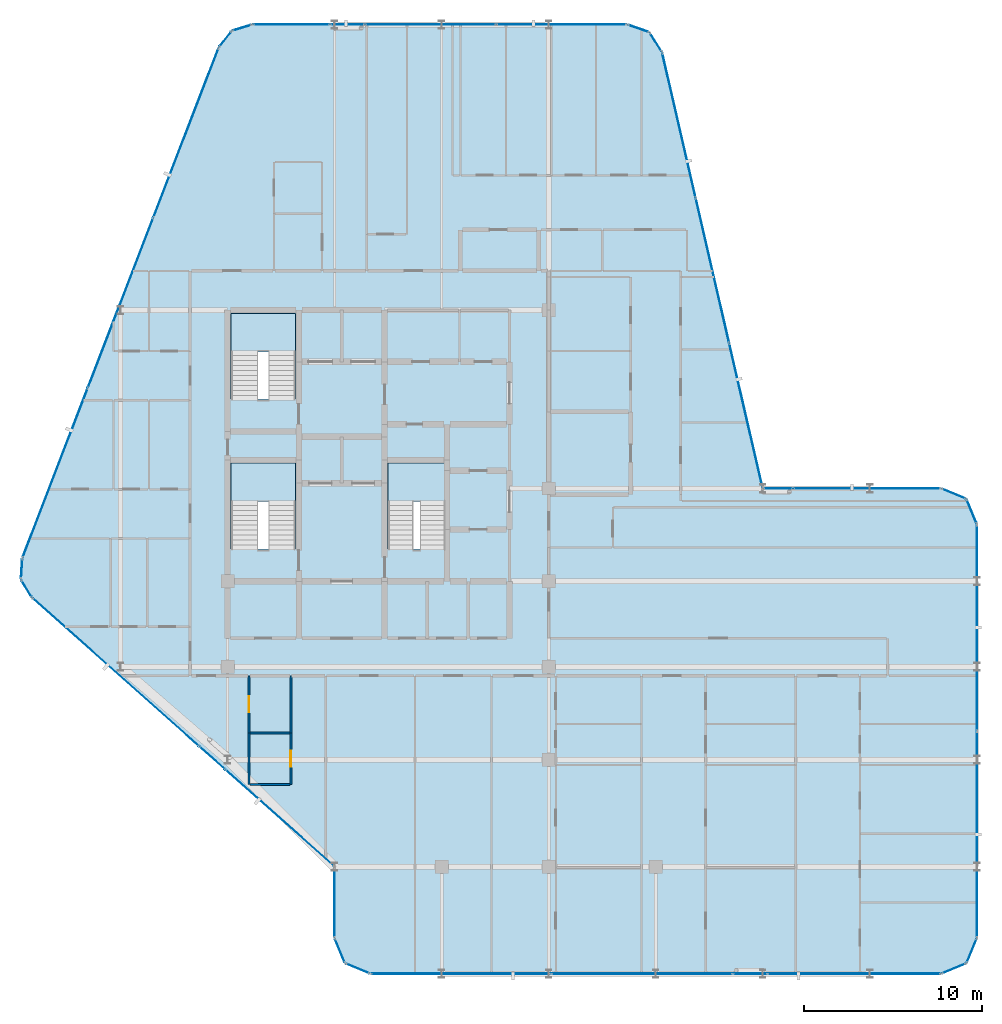
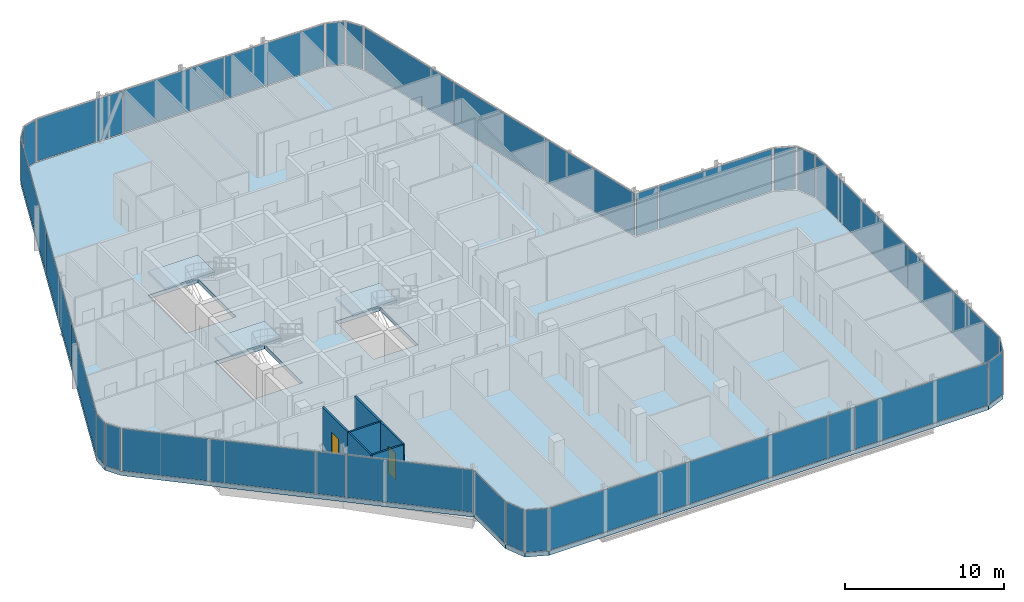
# One storey, part 22 of 29: 34 plates, 6 walls, 4 slabs, 2 doors, 2 openings, 30 elements without a shape of their own.
"""IFC4 building model written with IfcOpenShell, lengths in metres."""

from ifc_helpers import new_model, si_unit, direction, frame, frame_2d, origin, origin_2d, place, context, subcontext, project, spatial, polyline, rectangle, outline, extrude, material, layer, layer_set, type_object, element, fill, aggregate, save


model = new_model("IFC4")

# Units and contexts
model_context = context("Model", 3, precision=1e-05, world=origin(), true_north=direction((0.0, 1.0)))
body_context = subcontext(model_context, "Body", "Model", "MODEL_VIEW")
ifc_project = project(units=[si_unit("LENGTHUNIT", "METRE"), si_unit("AREAUNIT", "SQUARE_METRE"), si_unit("VOLUMEUNIT", "CUBIC_METRE"), si_unit("PLANEANGLEUNIT", "RADIAN"), si_unit("MASSUNIT", "GRAM", prefix="KILO")], contexts=[model_context])

# Site, building, storey
site_placement = place(None, origin())
site = spatial("IfcSite", under=ifc_project, at=site_placement, CompositionType="ELEMENT")
building_placement = place(site_placement, origin())
building = spatial("IfcBuilding", under=site, at=building_placement, Name="Keshet Zoharim Tower", CompositionType="ELEMENT")
storey_placement = place(building_placement, frame((0.0, 0.0, 226.5)))
storey = spatial("IfcBuildingStorey", under=building, at=storey_placement, Name="L56", CompositionType="ELEMENT", Elevation=226.5)

# Curtain wall, plate
ifc_material_1 = material(Name="Aluminium 6063-T6", Category="aluminium")
ifc_layer_1 = layer(ifc_material_1, 0.139892578125)
ifc_layer_set_1 = layer_set([ifc_layer_1], Name="Aluminium 6063-T6")
curtain_wall_type = type_object("IfcCurtainWallType", Name="CW-SYS-05", PredefinedType="NOTDEFINED", material=ifc_layer_set_1)
curtain_wall_1_placement = place(storey_placement, origin())
curtain_wall_1 = element("IfcCurtainWall", 1, at=curtain_wall_1_placement, inside=storey, type_object=curtain_wall_type, Name="L56 Unitised Curtain Wall 01", PredefinedType="NOTDEFINED")
ifc_material_2 = material(Name="Insulated Low-E Clear Glass", Category="glass")
ifc_layer_2 = layer(ifc_material_2, 0.031982421875)
ifc_layer_set_2 = layer_set([ifc_layer_2], Name="Insulated Low-E Clear Glass")
plate_type_1 = type_object("IfcPlateType", Name="CWP-02", PredefinedType="CURTAIN_PANEL", material=ifc_layer_set_2)
plate_1_placement = place(storey_placement, frame((55.70703125, 27.60693359375, 0.070068359375), z_axis=(0.0, 0.0, 1.0), x_axis=(0.92380975372, -0.382851849847, 0.0)))
plate_1 = element("IfcPlate", 2, at=plate_1_placement, type_object=plate_type_1, Name="CW-05 panel 1.1", PredefinedType="CURTAIN_PANEL", context=body_context, shape_type="SweptSolid", body=[
    extrude(rectangle(XDim=1.390625, YDim=0.031982421875, at=origin_2d()), origin(), (0.0, 0.0, 1.0), 3.25),
])
aggregate(curtain_wall_1, [plate_1])

curtain_wall_2_placement = place(storey_placement, origin())
curtain_wall_2 = element("IfcCurtainWall", 3, at=curtain_wall_2_placement, inside=storey, type_object=curtain_wall_type, Name="L56 Unitised Curtain Wall 02", PredefinedType="NOTDEFINED")
plate_2_placement = place(storey_placement, frame((56.70703125, 26.60693359375, 0.070068359375), z_axis=(0.0, 0.0, 1.0), x_axis=(0.382851849847, -0.92380975372, 0.0)))
plate_2 = element("IfcPlate", 4, at=plate_2_placement, type_object=plate_type_1, Name="CW-05 panel 1.1", PredefinedType="CURTAIN_PANEL", context=body_context, shape_type="SweptSolid", body=[
    extrude(rectangle(XDim=1.390625, YDim=0.031982421875, at=origin_2d()), origin(), (0.0, 0.0, 1.0), 3.25),
])
aggregate(curtain_wall_2, [plate_2])

# Curtain wall, plates
curtain_wall_3_placement = place(storey_placement, origin())
curtain_wall_3 = element("IfcCurtainWall", 5, at=curtain_wall_3_placement, inside=storey, type_object=curtain_wall_type, Name="L56 Unitised Curtain Wall 03", PredefinedType="NOTDEFINED")
plate_3_placement = place(storey_placement, frame((57.0, 20.08251953125, 0.070068359375), z_axis=(0.0, 0.0, 1.0), x_axis=(0.0, -1.0, 0.0)))
plate_3 = element("IfcPlate", 6, at=plate_3_placement, type_object=plate_type_1, Name="CW-05 panel 1.1", PredefinedType="CURTAIN_PANEL", context=body_context, shape_type="SweptSolid", body=[
    extrude(rectangle(XDim=11.4951171875, YDim=0.031982421875, at=origin_2d()), origin(), (0.0, 0.0, 1.0), 3.25),
])
plate_4_placement = place(storey_placement, frame((57.0, 8.517578125, 0.070068359375), z_axis=(0.0, 0.0, 1.0), x_axis=(0.0, -1.0, 0.0)))
plate_4 = element("IfcPlate", 7, at=plate_4_placement, type_object=plate_type_1, Name="CW-05 panel 2.1", PredefinedType="CURTAIN_PANEL", context=body_context, shape_type="SweptSolid", body=[
    extrude(rectangle(XDim=11.4951171875, YDim=0.031982421875, at=origin_2d()), origin(), (0.0, 0.0, 1.0), 3.25),
])
aggregate(curtain_wall_3, [plate_3, plate_4])

# Curtain wall, plate
curtain_wall_4_placement = place(storey_placement, origin())
curtain_wall_4 = element("IfcCurtainWall", 8, at=curtain_wall_4_placement, inside=storey, type_object=curtain_wall_type, Name="L56 Unitised Curtain Wall 04", PredefinedType="NOTDEFINED")
plate_5_placement = place(storey_placement, frame((56.70703125, 1.992919921875, 0.070068359375), z_axis=(0.0, 0.0, 1.0), x_axis=(-0.382851849847, -0.92380975372, 0.0)))
plate_5 = element("IfcPlate", 9, at=plate_5_placement, type_object=plate_type_1, Name="CW-05 panel 1.1", PredefinedType="CURTAIN_PANEL", context=body_context, shape_type="SweptSolid", body=[
    extrude(rectangle(XDim=1.390625, YDim=0.031982421875, at=origin_2d()), origin(), (0.0, 0.0, 1.0), 3.25),
])
aggregate(curtain_wall_4, [plate_5])

curtain_wall_5_placement = place(storey_placement, origin())
curtain_wall_5 = element("IfcCurtainWall", 10, at=curtain_wall_5_placement, inside=storey, type_object=curtain_wall_type, Name="L56 Unitised Curtain Wall 05", PredefinedType="NOTDEFINED")
plate_6_placement = place(storey_placement, frame((55.70703125, 0.992919921875, 0.070068359375), z_axis=(0.0, 0.0, 1.0), x_axis=(-0.92380975372, -0.382851849847, 0.0)))
plate_6 = element("IfcPlate", 11, at=plate_6_placement, type_object=plate_type_1, Name="CW-05 panel 1.1", PredefinedType="CURTAIN_PANEL", context=body_context, shape_type="SweptSolid", body=[
    extrude(rectangle(XDim=1.390625, YDim=0.031982421875, at=origin_2d()), origin(), (0.0, 0.0, 1.0), 3.25),
])
aggregate(curtain_wall_5, [plate_6])

curtain_wall_6_placement = place(storey_placement, origin())
curtain_wall_6 = element("IfcCurtainWall", 12, at=curtain_wall_6_placement, inside=storey, type_object=curtain_wall_type, Name="L56 Unitised Curtain Wall 06", PredefinedType="NOTDEFINED")
plate_7_placement = place(storey_placement, frame((50.1123046875, 0.699951171875, 0.070068359375), z_axis=(0.0, 0.0, 1.0), x_axis=(-1.0, 0.0, 0.0)))
plate_7 = element("IfcPlate", 13, at=plate_7_placement, type_object=plate_type_1, Name="CW-05 panel 1.1", PredefinedType="CURTAIN_PANEL", context=body_context, shape_type="SweptSolid", body=[
    extrude(rectangle(XDim=9.63525390625, YDim=0.031982421875, at=origin_2d()), origin(), (0.0, 0.0, 1.0), 3.25),
])
aggregate(curtain_wall_6, [plate_7])

# Curtain wall, plates
curtain_wall_7_placement = place(storey_placement, origin())
curtain_wall_7 = element("IfcCurtainWall", 14, at=curtain_wall_7_placement, inside=storey, type_object=curtain_wall_type, Name="L56 Unitised Curtain Wall 06 Part 3", PredefinedType="NOTDEFINED")
plate_8_placement = place(storey_placement, frame((38.223876953125, 0.699951171875, 0.070068359375), z_axis=(0.0, 0.0, 1.0), x_axis=(-1.0, 0.0, 0.0)))
plate_8 = element("IfcPlate", 15, at=plate_8_placement, type_object=plate_type_1, Name="CW-05 panel 1.1", PredefinedType="CURTAIN_PANEL", context=body_context, shape_type="SweptSolid", body=[
    extrude(rectangle(XDim=10.1025390625, YDim=0.031982421875, at=origin_2d()), origin(), (0.0, 0.0, 1.0), 3.25),
])
plate_9_placement = place(storey_placement, frame((28.086181640625, 0.699951171875, 0.070068359375), z_axis=(0.0, 0.0, 1.0), x_axis=(-1.0, 0.0, 0.0)))
plate_9 = element("IfcPlate", 16, at=plate_9_placement, type_object=plate_type_1, Name="CW-05 panel 2.1", PredefinedType="CURTAIN_PANEL", context=body_context, shape_type="SweptSolid", body=[
    extrude(rectangle(XDim=10.03271484375, YDim=0.031982421875, at=origin_2d()), origin(), (0.0, 0.0, 1.0), 3.25),
])
aggregate(curtain_wall_7, [plate_8, plate_9])

# Curtain wall, plate
curtain_wall_8_placement = place(storey_placement, origin())
curtain_wall_8 = element("IfcCurtainWall", 17, at=curtain_wall_8_placement, inside=storey, type_object=curtain_wall_type, Name="L56 Unitised Curtain Wall 07", PredefinedType="NOTDEFINED")
plate_10_placement = place(storey_placement, frame((22.29296875, 0.992919921875, 0.070068359375), z_axis=(0.0, 0.0, 1.0), x_axis=(-0.92380975372, 0.382851849847, 0.0)))
plate_10 = element("IfcPlate", 18, at=plate_10_placement, type_object=plate_type_1, Name="CW-05 panel 1.1", PredefinedType="CURTAIN_PANEL", context=body_context, shape_type="SweptSolid", body=[
    extrude(rectangle(XDim=1.390625, YDim=0.031982421875, at=origin_2d()), origin(), (0.0, 0.0, 1.0), 3.25),
])
aggregate(curtain_wall_8, [plate_10])

curtain_wall_9_placement = place(storey_placement, origin())
curtain_wall_9 = element("IfcCurtainWall", 19, at=curtain_wall_9_placement, inside=storey, type_object=curtain_wall_type, Name="L56 Unitised Curtain Wall 08", PredefinedType="NOTDEFINED")
plate_11_placement = place(storey_placement, frame((21.29296875, 1.992919921875, 0.070068359375), z_axis=(0.0, 0.0, 1.0), x_axis=(-0.382851849847, 0.92380975372, 0.0)))
plate_11 = element("IfcPlate", 20, at=plate_11_placement, type_object=plate_type_1, Name="CW-05 panel 1.1", PredefinedType="CURTAIN_PANEL", context=body_context, shape_type="SweptSolid", body=[
    extrude(rectangle(XDim=1.390625, YDim=0.031982421875, at=origin_2d()), origin(), (0.0, 0.0, 1.0), 3.25),
])
aggregate(curtain_wall_9, [plate_11])

curtain_wall_10_placement = place(storey_placement, origin())
curtain_wall_10 = element("IfcCurtainWall", 21, at=curtain_wall_10_placement, inside=storey, type_object=curtain_wall_type, Name="L56 Unitised Curtain Wall 09", PredefinedType="NOTDEFINED")
plate_12_placement = place(storey_placement, frame((21.0, 4.699951171875, 0.070068359375), z_axis=(0.0, 0.0, 1.0), x_axis=(0.0, 1.0, 0.0)))
plate_12 = element("IfcPlate", 22, at=plate_12_placement, type_object=plate_type_1, Name="CW-05 panel 1.1", PredefinedType="CURTAIN_PANEL", context=body_context, shape_type="SweptSolid", body=[
    extrude(rectangle(XDim=3.860107421875, YDim=0.031982421875, at=origin_2d()), origin(), (0.0, 0.0, 1.0), 3.25),
])
aggregate(curtain_wall_10, [plate_12])

curtain_wall_11_placement = place(storey_placement, origin())
curtain_wall_11 = element("IfcCurtainWall", 23, at=curtain_wall_11_placement, inside=storey, type_object=curtain_wall_type, Name="L56 Unitised Curtain Wall 10", PredefinedType="NOTDEFINED")
plate_13_placement = place(storey_placement, frame((17.91845703125, 9.439208984375, 0.070068359375), z_axis=(0.0, 0.0, 1.0), x_axis=(-0.747409987764, 0.664363086114, 0.0)))
plate_13 = element("IfcPlate", 24, at=plate_13_placement, type_object=plate_type_1, Name="CW-05 panel 1.1", PredefinedType="CURTAIN_PANEL", context=body_context, shape_type="SweptSolid", body=[
    extrude(rectangle(XDim=8.10595703125, YDim=0.031982421875, at=origin_2d()), origin(), (0.0, 0.0, 1.0), 3.25),
])
aggregate(curtain_wall_11, [plate_13])

curtain_wall_12_placement = place(storey_placement, origin())
curtain_wall_12 = element("IfcCurtainWall", 25, at=curtain_wall_12_placement, inside=storey, type_object=curtain_wall_type, Name="L56 Unitised Curtain Wall 10 Part 3", PredefinedType="NOTDEFINED")
plate_14_placement = place(storey_placement, frame((8.7333984375, 17.603515625, 0.070068359375), z_axis=(0.0, 0.0, 1.0), x_axis=(-0.747409318679, 0.664363838836, 0.0)))
plate_14 = element("IfcPlate", 26, at=plate_14_placement, type_object=plate_type_1, Name="CW-05 panel 1.1", PredefinedType="CURTAIN_PANEL", context=body_context, shape_type="SweptSolid", body=[
    extrude(rectangle(XDim=12.432861328125, YDim=0.031982421875, at=origin_2d()), origin(), (0.0, 0.0, 1.0), 3.25),
])
aggregate(curtain_wall_12, [plate_14])

curtain_wall_13_placement = place(storey_placement, origin())
curtain_wall_13 = element("IfcCurtainWall", 27, at=curtain_wall_13_placement, inside=storey, type_object=curtain_wall_type, Name="L56 Unitised Curtain Wall 11", PredefinedType="NOTDEFINED")
plate_15_placement = place(storey_placement, frame((3.7275390625, 22.291015625, 0.070068359375), z_axis=(0.0, 0.0, 1.0), x_axis=(-0.515604947933, 0.856826433805, 0.0)))
plate_15 = element("IfcPlate", 28, at=plate_15_placement, type_object=plate_type_1, Name="CW-05 panel 1.1", PredefinedType="CURTAIN_PANEL", context=body_context, shape_type="SweptSolid", body=[
    extrude(rectangle(XDim=1.052734375, YDim=0.031982421875, at=origin_2d()), origin(), (0.0, 0.0, 1.0), 3.25),
])
aggregate(curtain_wall_13, [plate_15])

curtain_wall_14_placement = place(storey_placement, origin())
curtain_wall_14 = element("IfcCurtainWall", 29, at=curtain_wall_14_placement, inside=storey, type_object=curtain_wall_type, Name="L56 Unitised Curtain Wall 12", PredefinedType="NOTDEFINED")
plate_16_placement = place(storey_placement, frame((3.45849609375, 23.3974609375, 0.070068359375), z_axis=(0.0, 0.0, 1.0), x_axis=(0.064516859374, 0.997916617186, 0.0)))
plate_16 = element("IfcPlate", 30, at=plate_16_placement, type_object=plate_type_1, Name="CW-05 panel 1.1", PredefinedType="CURTAIN_PANEL", context=body_context, shape_type="SweptSolid", body=[
    extrude(rectangle(XDim=1.053466796875, YDim=0.031982421875, at=origin_2d()), origin(), (0.0, 0.0, 1.0), 3.25),
])
aggregate(curtain_wall_14, [plate_16])

# Curtain wall, plates
curtain_wall_15_placement = place(storey_placement, origin())
curtain_wall_15 = element("IfcCurtainWall", 31, at=curtain_wall_15_placement, inside=storey, type_object=curtain_wall_type, Name="L56 Unitised Curtain Wall 13", PredefinedType="NOTDEFINED")
plate_17_placement = place(storey_placement, frame((5.33837890625, 28.7802734375, 0.070068359375), z_axis=(0.0, 0.0, 1.0), x_axis=(0.358990003907, 0.933341404361, 0.0)))
plate_17 = element("IfcPlate", 32, at=plate_17_placement, type_object=plate_type_1, Name="CW-05 panel 1.1", PredefinedType="CURTAIN_PANEL", context=body_context, shape_type="SweptSolid", body=[
    extrude(rectangle(XDim=10.1181640625, YDim=0.031982421875, at=origin_2d()), origin(), (0.0, 0.0, 1.0), 3.25),
])
plate_18_placement = place(storey_placement, frame((9.001953125, 38.305419921875, 0.070068359375), z_axis=(0.0, 0.0, 1.0), x_axis=(0.358990003907, 0.933341404361, 0.0)))
plate_18 = element("IfcPlate", 33, at=plate_18_placement, type_object=plate_type_1, Name="CW-05 panel 2.1", PredefinedType="CURTAIN_PANEL", context=body_context, shape_type="SweptSolid", body=[
    extrude(rectangle(XDim=10.153076171875, YDim=0.031982421875, at=origin_2d()), origin(), (0.0, 0.0, 1.0), 3.25),
])
plate_19_placement = place(storey_placement, frame((12.665771484375, 47.830810546875, 0.070068359375), z_axis=(0.0, 0.0, 1.0), x_axis=(0.358990003907, 0.933341404361, 0.0)))
plate_19 = element("IfcPlate", 34, at=plate_19_placement, type_object=plate_type_1, Name="CW-05 panel 3.1", PredefinedType="CURTAIN_PANEL", context=body_context, shape_type="SweptSolid", body=[
    extrude(rectangle(XDim=10.1181640625, YDim=0.031982421875, at=origin_2d()), origin(), (0.0, 0.0, 1.0), 3.25),
])
aggregate(curtain_wall_15, [plate_17, plate_18, plate_19])

# Curtain wall, plate
curtain_wall_16_placement = place(storey_placement, origin())
curtain_wall_16 = element("IfcCurtainWall", 35, at=curtain_wall_16_placement, inside=storey, type_object=curtain_wall_type, Name="L56 Unitised Curtain Wall 14", PredefinedType="NOTDEFINED")
plate_20_placement = place(storey_placement, frame((14.8740234375, 53.08349609375, 0.070068359375), z_axis=(0.0, 0.0, 1.0), x_axis=(0.619124525989, 0.785292825205, 0.0)))
plate_20 = element("IfcPlate", 36, at=plate_20_placement, type_object=plate_type_1, Name="CW-05 panel 1.1", PredefinedType="CURTAIN_PANEL", context=body_context, shape_type="SweptSolid", body=[
    extrude(rectangle(XDim=1.045654296875, YDim=0.031982421875, at=origin_2d()), origin(), (0.0, 0.0, 1.0), 3.25),
])
aggregate(curtain_wall_16, [plate_20])

curtain_wall_17_placement = place(storey_placement, origin())
curtain_wall_17 = element("IfcCurtainWall", 37, at=curtain_wall_17_placement, inside=storey, type_object=curtain_wall_type, Name="L56 Unitised Curtain Wall 15", PredefinedType="NOTDEFINED")
plate_21_placement = place(storey_placement, frame((15.8076171875, 53.724609375, 0.070068359375), z_axis=(0.0, 0.0, 1.0), x_axis=(0.955212151288, 0.295921857984, 0.0)))
plate_21 = element("IfcPlate", 38, at=plate_21_placement, type_object=plate_type_1, Name="CW-05 panel 1.1", PredefinedType="CURTAIN_PANEL", context=body_context, shape_type="SweptSolid", body=[
    extrude(rectangle(XDim=1.046142578125, YDim=0.031982421875, at=origin_2d()), origin(), (0.0, 0.0, 1.0), 3.25),
])
aggregate(curtain_wall_17, [plate_21])

curtain_wall_18_placement = place(storey_placement, origin())
curtain_wall_18 = element("IfcCurtainWall", 39, at=curtain_wall_18_placement, inside=storey, type_object=curtain_wall_type, Name="L56 Unitised Curtain Wall 16", PredefinedType="NOTDEFINED")
plate_22_placement = place(storey_placement, frame((18.57470703125, 53.89990234375, 0.070068359375), z_axis=(0.0, 0.0, 1.0), x_axis=(1.0, 0.0, 0.0)))
plate_22 = element("IfcPlate", 40, at=plate_22_placement, type_object=plate_type_1, Name="CW-05 panel 1.1", PredefinedType="CURTAIN_PANEL", context=body_context, shape_type="SweptSolid", body=[
    extrude(rectangle(XDim=4.26123046875, YDim=0.031982421875, at=origin_2d()), origin(), (0.0, 0.0, 1.0), 3.25),
])
aggregate(curtain_wall_18, [plate_22])

# Curtain wall, plates
curtain_wall_19_placement = place(storey_placement, origin())
curtain_wall_19 = element("IfcCurtainWall", 41, at=curtain_wall_19_placement, inside=storey, type_object=curtain_wall_type, Name="L56 Unitised Curtain Wall 16 Part 3", PredefinedType="NOTDEFINED")
plate_23_placement = place(storey_placement, frame((26.37841796875, 53.89990234375, 0.070068359375), z_axis=(0.0, 0.0, 1.0), x_axis=(1.0, 0.0, 0.0)))
plate_23 = element("IfcPlate", 42, at=plate_23_placement, type_object=plate_type_1, Name="CW-05 panel 1.1", PredefinedType="CURTAIN_PANEL", context=body_context, shape_type="SweptSolid", body=[
    extrude(rectangle(XDim=7.30712890625, YDim=0.031982421875, at=origin_2d()), origin(), (0.0, 0.0, 1.0), 3.25),
])
plate_24_placement = place(storey_placement, frame((33.720458984375, 53.89990234375, 0.070068359375), z_axis=(0.0, 0.0, 1.0), x_axis=(1.0, 0.0, 0.0)))
plate_24 = element("IfcPlate", 43, at=plate_24_placement, type_object=plate_type_1, Name="CW-05 panel 2.1", PredefinedType="CURTAIN_PANEL", context=body_context, shape_type="SweptSolid", body=[
    extrude(rectangle(XDim=7.237060546875, YDim=0.031982421875, at=origin_2d()), origin(), (0.0, 0.0, 1.0), 3.25),
])
aggregate(curtain_wall_19, [plate_23, plate_24])

# Curtain wall, plate
curtain_wall_20_placement = place(storey_placement, origin())
curtain_wall_20 = element("IfcCurtainWall", 44, at=curtain_wall_20_placement, inside=storey, type_object=curtain_wall_type, Name="L56 Unitised Curtain Wall 17", PredefinedType="NOTDEFINED")
plate_25_placement = place(storey_placement, frame((38.031494140625, 53.6826171875, 0.070068359375), z_axis=(0.0, 0.0, 1.0), x_axis=(0.944035542119, -0.329843743636, 0.0)))
plate_25 = element("IfcPlate", 45, at=plate_25_placement, type_object=plate_type_1, Name="CW-05 panel 1.1", PredefinedType="CURTAIN_PANEL", context=body_context, shape_type="SweptSolid", body=[
    extrude(rectangle(XDim=1.1787109375, YDim=0.031982421875, at=origin_2d()), origin(), (0.0, 0.0, 1.0), 3.25),
])
aggregate(curtain_wall_20, [plate_25])

curtain_wall_21_placement = place(storey_placement, origin())
curtain_wall_21 = element("IfcCurtainWall", 46, at=curtain_wall_21_placement, inside=storey, type_object=curtain_wall_type, Name="L56 Unitised Curtain Wall 18", PredefinedType="NOTDEFINED")
plate_26_placement = place(storey_placement, frame((39.006103515625, 52.907470703125, 0.070068359375), z_axis=(0.0, 0.0, 1.0), x_axis=(0.533878858502, -0.845560976183, 0.0)))
plate_26 = element("IfcPlate", 47, at=plate_26_placement, type_object=plate_type_1, Name="CW-05 panel 1.1", PredefinedType="CURTAIN_PANEL", context=body_context, shape_type="SweptSolid", body=[
    extrude(rectangle(XDim=1.1787109375, YDim=0.031982421875, at=origin_2d()), origin(), (0.0, 0.0, 1.0), 3.25),
])
aggregate(curtain_wall_21, [plate_26])

# Curtain wall, plates
curtain_wall_22_placement = place(storey_placement, origin())
curtain_wall_22 = element("IfcCurtainWall", 48, at=curtain_wall_22_placement, inside=storey, type_object=curtain_wall_type, Name="L56 Unitised Curtain Wall 19", PredefinedType="NOTDEFINED")
plate_27_placement = place(storey_placement, frame((40.30224609375, 48.258056640625, 0.070068359375), z_axis=(0.0, 0.0, 1.0), x_axis=(0.224847864369, -0.974393882313, 0.0)))
plate_27 = element("IfcPlate", 49, at=plate_27_placement, type_object=plate_type_1, Name="CW-05 panel 1.1", PredefinedType="CURTAIN_PANEL", context=body_context, shape_type="SweptSolid", body=[
    extrude(rectangle(XDim=8.25927734375, YDim=0.031982421875, at=origin_2d()), origin(), (0.0, 0.0, 1.0), 3.25),
])
plate_28_placement = place(storey_placement, frame((42.178955078125, 40.125, 0.070068359375), z_axis=(0.0, 0.0, 1.0), x_axis=(0.224847864369, -0.974393882313, 0.0)))
plate_28 = element("IfcPlate", 50, at=plate_28_placement, type_object=plate_type_1, Name="CW-05 panel 2.1", PredefinedType="CURTAIN_PANEL", context=body_context, shape_type="SweptSolid", body=[
    extrude(rectangle(XDim=8.294189453125, YDim=0.031982421875, at=origin_2d()), origin(), (0.0, 0.0, 1.0), 3.25),
])
plate_29_placement = place(storey_placement, frame((44.0556640625, 31.991943359375, 0.070068359375), z_axis=(0.0, 0.0, 1.0), x_axis=(0.224847864369, -0.974393882313, 0.0)))
plate_29 = element("IfcPlate", 51, at=plate_29_placement, type_object=plate_type_1, Name="CW-05 panel 3.1", PredefinedType="CURTAIN_PANEL", context=body_context, shape_type="SweptSolid", body=[
    extrude(rectangle(XDim=8.25927734375, YDim=0.031982421875, at=origin_2d()), origin(), (0.0, 0.0, 1.0), 3.25),
])
aggregate(curtain_wall_22, [plate_27, plate_28, plate_29])

# Curtain wall, plate
curtain_wall_23_placement = place(storey_placement, origin())
curtain_wall_23 = element("IfcCurtainWall", 52, at=curtain_wall_23_placement, inside=storey, type_object=curtain_wall_type, Name="L56 Unitised Curtain Wall 20 Part 2", PredefinedType="NOTDEFINED")
plate_30_placement = place(storey_placement, frame((50.827392578125, 27.89990234375, 0.070068359375), z_axis=(0.0, 0.0, 1.0), x_axis=(1.0, 0.0, 0.0)))
plate_30 = element("IfcPlate", 53, at=plate_30_placement, type_object=plate_type_1, Name="CW-05 panel 1.1", PredefinedType="CURTAIN_PANEL", context=body_context, shape_type="SweptSolid", body=[
    extrude(rectangle(XDim=8.205078125, YDim=0.031982421875, at=origin_2d()), origin(), (0.0, 0.0, 1.0), 3.25),
])
aggregate(curtain_wall_23, [plate_30])

curtain_wall_24_placement = place(storey_placement, origin())
curtain_wall_24 = element("IfcCurtainWall", 54, at=curtain_wall_24_placement, inside=storey, type_object=curtain_wall_type, Name="L56 Unitised Curtain Wall 06 Part 2", PredefinedType="NOTDEFINED")
ifc_material_3 = material(Name="Insulated Aluminium Spandrel Panel", Category="aluminium")
ifc_layer_3 = layer(ifc_material_3, 0.031982421875)
ifc_layer_set_3 = layer_set([ifc_layer_3], Name="Insulated Aluminium Spandrel Panel")
plate_type_2 = type_object("IfcPlateType", Name="CWP-05", PredefinedType="CURTAIN_PANEL", material=ifc_layer_set_3)
plate_31_placement = place(storey_placement, frame((44.284912109375, 0.699951171875, 0.070068359375), z_axis=(0.0, 0.0, 1.0), x_axis=(-1.0, 0.0, 0.0)))
plate_31 = element("IfcPlate", 55, at=plate_31_placement, type_object=plate_type_2, Name="CW-05 spandrel panel 1.1", PredefinedType="CURTAIN_PANEL", context=body_context, shape_type="SweptSolid", body=[
    extrude(rectangle(XDim=1.879638671875, YDim=0.031982421875, at=origin_2d()), origin(), (0.0, 0.0, 1.0), 3.25),
])
aggregate(curtain_wall_24, [plate_31])

curtain_wall_25_placement = place(storey_placement, origin())
curtain_wall_25 = element("IfcCurtainWall", 56, at=curtain_wall_25_placement, inside=storey, type_object=curtain_wall_type, Name="L56 Unitised Curtain Wall 10 Part 2", PredefinedType="NOTDEFINED")
plate_32_placement = place(storey_placement, frame((14.134521484375, 12.802734375, 0.070068359375), z_axis=(0.0, 0.0, 1.0), x_axis=(-0.747406488853, 0.664367022375, 0.0)))
plate_32 = element("IfcPlate", 57, at=plate_32_placement, type_object=plate_type_2, Name="CW-05 spandrel panel 1.1", PredefinedType="CURTAIN_PANEL", context=body_context, shape_type="SweptSolid", body=[
    extrude(rectangle(XDim=1.879638671875, YDim=0.031982421875, at=origin_2d()), origin(), (0.0, 0.0, 1.0), 3.25),
])
aggregate(curtain_wall_25, [plate_32])

curtain_wall_26_placement = place(storey_placement, origin())
curtain_wall_26 = element("IfcCurtainWall", 58, at=curtain_wall_26_placement, inside=storey, type_object=curtain_wall_type, Name="L56 Unitised Curtain Wall 16 Part 2", PredefinedType="NOTDEFINED")
plate_33_placement = place(storey_placement, frame((21.715087890625, 53.89990234375, 0.070068359375), z_axis=(0.0, 0.0, 1.0), x_axis=(1.0, 0.0, 0.0)))
plate_33 = element("IfcPlate", 59, at=plate_33_placement, type_object=plate_type_2, Name="CW-05 spandrel panel 1.1", PredefinedType="CURTAIN_PANEL", context=body_context, shape_type="SweptSolid", body=[
    extrude(rectangle(XDim=1.879638671875, YDim=0.031982421875, at=origin_2d()), origin(), (0.0, 0.0, 1.0), 3.25),
])
aggregate(curtain_wall_26, [plate_33])

curtain_wall_27_placement = place(storey_placement, origin())
curtain_wall_27 = element("IfcCurtainWall", 60, at=curtain_wall_27_placement, inside=storey, type_object=curtain_wall_type, Name="L56 Unitised Curtain Wall 20", PredefinedType="NOTDEFINED")
plate_34_placement = place(storey_placement, frame((45.8623046875, 27.89990234375, 0.070068359375), z_axis=(0.0, 0.0, 1.0), x_axis=(1.0, 0.0, 0.0)))
plate_34 = element("IfcPlate", 61, at=plate_34_placement, type_object=plate_type_2, Name="CW-05 spandrel panel 1.1", PredefinedType="CURTAIN_PANEL", context=body_context, shape_type="SweptSolid", body=[
    extrude(rectangle(XDim=1.584716796875, YDim=0.031982421875, at=origin_2d()), origin(), (0.0, 0.0, 1.0), 3.25),
])
aggregate(curtain_wall_27, [plate_34])

# Stair, slab
ifc_material_4 = material(Name="Concrete C50/60", Category="concrete")
stair_type = type_object("IfcStairType", Name="STR-EXIT-135", PredefinedType="HALF_TURN_STAIR", material=ifc_material_4)
stair_1_placement = place(storey_placement, origin())
stair_1 = element("IfcStair", 62, at=stair_1_placement, inside=storey, type_object=stair_type, Name="L56 Enclosed Exit Stair ST-01", PredefinedType="HALF_TURN_STAIR")
ifc_layer_4 = layer(ifc_material_4, 0.199951171875)
ifc_layer_set_4 = layer_set([ifc_layer_4], Name="Concrete C50/60")
slab_type_1 = type_object("IfcSlabType", Name="SLB-LND-200", PredefinedType="LANDING", material=ifc_layer_set_4)
slab_1_placement = place(storey_placement, frame((0.0, 0.0, 1.64990234375)))
slab_1 = element("IfcSlab", 63, at=slab_1_placement, type_object=slab_type_1, Name="ST-01 landing 1", PredefinedType="LANDING", context=body_context, shape_type="SweptSolid", body=[
    extrude(outline(polyline([(15.179931640625, 27.159912109375), (18.820068359375, 27.159912109375), (18.820068359375, 29.320068359375), (15.179931640625, 29.320068359375), (15.179931640625, 27.159912109375)])), origin(), (0.0, 0.0, 1.0), 0.2001953125),
])
aggregate(stair_1, [slab_1])

stair_2_placement = place(storey_placement, origin())
stair_2 = element("IfcStair", 64, at=stair_2_placement, inside=storey, type_object=stair_type, Name="L56 Enclosed Exit Stair ST-02", PredefinedType="HALF_TURN_STAIR")
slab_2_placement = place(storey_placement, frame((0.0, 0.0, 1.64990234375)))
slab_2 = element("IfcSlab", 65, at=slab_2_placement, type_object=slab_type_1, Name="ST-02 landing 1", PredefinedType="LANDING", context=body_context, shape_type="SweptSolid", body=[
    extrude(outline(polyline([(15.179931640625, 35.56005859375), (18.820068359375, 35.56005859375), (18.820068359375, 37.719970703125), (15.179931640625, 37.719970703125), (15.179931640625, 35.56005859375)])), origin(), (0.0, 0.0, 1.0), 0.2001953125),
])
aggregate(stair_2, [slab_2])

stair_3_placement = place(storey_placement, origin())
stair_3 = element("IfcStair", 66, at=stair_3_placement, inside=storey, type_object=stair_type, Name="L56 Enclosed Exit Stair ST-03", PredefinedType="HALF_TURN_STAIR")
slab_3_placement = place(storey_placement, frame((0.0, 0.0, 1.64990234375)))
slab_3 = element("IfcSlab", 67, at=slab_3_placement, type_object=slab_type_1, Name="ST-03 landing 1", PredefinedType="LANDING", context=body_context, shape_type="SweptSolid", body=[
    extrude(outline(polyline([(23.97998046875, 27.159912109375), (27.219970703125, 27.159912109375), (27.219970703125, 29.320068359375), (23.97998046875, 29.320068359375), (23.97998046875, 27.159912109375)])), origin(), (0.0, 0.0, 1.0), 0.2001953125),
])
aggregate(stair_3, [slab_3])

# Slab
ifc_layer_5 = layer(ifc_material_4, 0.31005859375)
ifc_layer_set_5 = layer_set([ifc_layer_5], Name="Concrete C50/60")
slab_type_2 = type_object("IfcSlabType", Name="SLB-UPP-240", PredefinedType="FLOOR", material=ifc_layer_set_5)
slab_4_placement = place(storey_placement, frame((0.0, 0.0, -0.31005859375)))
element("IfcSlab", 68, at=slab_4_placement, inside=storey, type_object=slab_type_2, Name="L56 Structural Floor Slab 1", PredefinedType="FLOOR", context=body_context, shape_type="SweptSolid", body=[
    extrude(outline(polyline([(55.0, 27.89990234375), (56.4140625, 27.31396484375), (57.0, 25.89990234375), (57.0, 2.699951171875), (56.4140625, 1.285888671875), (55.0, 0.699951171875), (23.0, 0.699951171875), (21.5859375, 1.285888671875), (21.0, 2.699951171875), (21.0, 6.699951171875), (4.034912109375, 21.780029296875), (3.419921875, 22.802001953125), (3.4970703125, 23.992919921875), (14.507080078125, 52.617919921875), (15.240966796875, 53.549072265625), (16.3740234375, 53.89990234375), (37.408935546875, 53.89990234375), (38.654052734375, 53.465087890625), (39.35791015625, 52.35009765625), (45.0, 27.89990234375), (55.0, 27.89990234375)]), holes=[polyline([(15.179931640625, 24.52001953125), (18.820068359375, 24.52001953125), (18.820068359375, 29.320068359375), (15.179931640625, 29.320068359375), (15.179931640625, 24.52001953125)]), polyline([(15.179931640625, 32.919921875), (18.820068359375, 32.919921875), (18.820068359375, 37.719970703125), (15.179931640625, 37.719970703125), (15.179931640625, 32.919921875)]), polyline([(23.97998046875, 24.52001953125), (27.219970703125, 24.52001953125), (27.219970703125, 29.320068359375), (23.97998046875, 29.320068359375), (23.97998046875, 24.52001953125)])]), origin(), (0.0, 0.0, 1.0), 0.31005859375),
])

# Wall, opening, door
ifc_material_5 = material(Name="Gypsum Plasterboard", Category="gypsum")
ifc_layer_6 = layer(ifc_material_5, 0.1201171875)
ifc_layer_set_6 = layer_set([ifc_layer_6], Name="Gypsum Plasterboard")
wall_type_1 = type_object("IfcWallType", Name="WL-PART-120", PredefinedType="PARTITIONING", material=ifc_layer_set_6)
wall_1_placement = place(storey_placement, frame((16.199951171875, 14.199951171875, 0.0), z_axis=(0.0, 0.0, 1.0), x_axis=(0.0, 1.0, 0.0)))
wall_1 = element("IfcWall", 69, at=wall_1_placement, inside=storey, type_object=wall_type_1, Name="L56 Interior Wall 018", PredefinedType="PARTITIONING", context=body_context, shape_type="SweptSolid", body=[
    extrude(rectangle(XDim=3.199951171875, YDim=0.1201171875, at=frame_2d((1.60009765625, 0.0))), origin(), (0.0, 0.0, 1.0), 3.389892578125),
])
opening_1_placement = place(wall_1_placement, frame((1.14990234375, 0.0, 0.0)))
opening_1 = element("IfcOpeningElement", 70, at=opening_1_placement, cuts=wall_1, Name="Opening D-IN90", PredefinedType="OPENING", context=body_context, shape_type="SweptSolid", body=[
    extrude(rectangle(XDim=0.89990234375, YDim=2.14990234375, at=frame_2d((0.449951171875, 1.074951171875))), frame((0.0, 0.070068359375, 0.0), z_axis=(0.0, -1.0, 0.0), x_axis=(1.0, 0.0, 0.0)), (0.0, 0.0, 1.0), 0.14013671875),
])
ifc_material_6 = material(Name="Hardwood Timber", Category="wood")
door_type_1 = type_object("IfcDoorType", Name="DR-INT-090", OperationType="NOTDEFINED", PredefinedType="DOOR", material=ifc_material_6)
door_1_placement = place(opening_1_placement, origin())
door_1 = element("IfcDoor", 71, at=door_1_placement, inside=storey, type_object=door_type_1, Name="Apartment 5601 Kitchenette Door", OperationType="SINGLE_SWING_RIGHT", OverallHeight=2.14990234375, OverallWidth=0.89990234375, PredefinedType="DOOR", context=body_context, shape_type="SweptSolid", body=[
    extrude(rectangle(XDim=0.89990234375, YDim=2.14990234375, at=frame_2d((0.449951171875, 1.074951171875))), frame((0.0, 0.02490234375, 0.0), z_axis=(0.0, -1.0, 0.0), x_axis=(1.0, 0.0, 0.0)), (0.0, 0.0, 1.0), 0.050048828125),
])
fill(opening_1, door_1)

# Walls
wall_2_placement = place(storey_placement, frame((18.550048828125, 14.199951171875, 0.0), z_axis=(0.0, 0.0, 1.0), x_axis=(0.0, 1.0, 0.0)))
element("IfcWall", 72, at=wall_2_placement, inside=storey, type_object=wall_type_1, Name="L56 Interior Wall 022", PredefinedType="PARTITIONING", context=body_context, shape_type="SweptSolid", body=[
    extrude(rectangle(XDim=3.199951171875, YDim=0.1201171875, at=frame_2d((1.60009765625, 0.0))), origin(), (0.0, 0.0, 1.0), 3.389892578125),
])
ifc_layer_7 = layer(ifc_material_5, 0.1201171875)
ifc_layer_set_7 = layer_set([ifc_layer_7], Name="Gypsum Plasterboard")
wall_type_2 = type_object("IfcWallType", Name="WL-WET-120", PredefinedType="PARTITIONING", material=ifc_layer_set_7)
wall_3_placement = place(storey_placement, frame((16.199951171875, 11.300048828125, 0.0), z_axis=(0.0, 0.0, 1.0), x_axis=(0.0, 1.0, 0.0)))
element("IfcWall", 73, at=wall_3_placement, inside=storey, type_object=wall_type_2, Name="L56 Interior Wall 017", PredefinedType="PARTITIONING", context=body_context, shape_type="SweptSolid", body=[
    extrude(rectangle(XDim=2.89990234375, YDim=0.1201171875, at=frame_2d((1.449951171875, 0.0))), origin(), (0.0, 0.0, 1.0), 3.389892578125),
])

# Wall, opening, door
wall_4_placement = place(storey_placement, frame((18.550048828125, 11.300048828125, 0.0), z_axis=(0.0, 0.0, 1.0), x_axis=(0.0, 1.0, 0.0)))
wall_4 = element("IfcWall", 74, at=wall_4_placement, inside=storey, type_object=wall_type_2, Name="L56 Interior Wall 021", PredefinedType="PARTITIONING", context=body_context, shape_type="SweptSolid", body=[
    extrude(rectangle(XDim=2.89990234375, YDim=0.1201171875, at=frame_2d((1.449951171875, 0.0))), origin(), (0.0, 0.0, 1.0), 3.389892578125),
])
opening_2_placement = place(wall_4_placement, frame((1.0, 0.0, 0.0)))
opening_2 = element("IfcOpeningElement", 75, at=opening_2_placement, cuts=wall_4, Name="Opening D-WT90", PredefinedType="OPENING", context=body_context, shape_type="SweptSolid", body=[
    extrude(rectangle(XDim=0.89990234375, YDim=2.10009765625, at=frame_2d((0.449951171875, 1.050048828125))), frame((0.0, 0.070068359375, 0.0), z_axis=(0.0, -1.0, 0.0), x_axis=(1.0, 0.0, 0.0)), (0.0, 0.0, 1.0), 0.14013671875),
])
door_type_2 = type_object("IfcDoorType", Name="DR-WET-090", OperationType="NOTDEFINED", PredefinedType="DOOR", material=ifc_material_6)
door_2_placement = place(opening_2_placement, origin())
door_2 = element("IfcDoor", 76, at=door_2_placement, inside=storey, type_object=door_type_2, Name="Apartment 5601 Bathroom Door", OperationType="SINGLE_SWING_RIGHT", OverallHeight=2.10009765625, OverallWidth=0.89990234375, PredefinedType="DOOR", context=body_context, shape_type="SweptSolid", body=[
    extrude(rectangle(XDim=0.89990234375, YDim=2.10009765625, at=frame_2d((0.449951171875, 1.050048828125))), frame((0.0, 0.02490234375, 0.0), z_axis=(0.0, -1.0, 0.0), x_axis=(1.0, 0.0, 0.0)), (0.0, 0.0, 1.0), 0.050048828125),
])
fill(opening_2, door_2)

# Walls
for number, where, z_axis, x_axis, name in (
    (77, (16.2451171875, 11.300048828125, 0.0), (0.0, 0.0, 1.0), (1.0, 0.0, 0.0), "L56 Interior Wall 101"),
    (78, (16.2451171875, 14.199951171875, 0.0), (0.0, 0.0, 1.0), (1.0, 0.0, 0.0), "L56 Interior Wall 105"),
):
    element("IfcWall", number, at=place(storey_placement, frame(where, z_axis=z_axis, x_axis=x_axis)), inside=storey, type_object=wall_type_2, Name=name, PredefinedType="PARTITIONING", context=body_context, shape_type="SweptSolid", body=[
        extrude(rectangle(XDim=2.259765625, YDim=0.1201171875, at=frame_2d((1.1298828125, 0.0))), origin(), (0.0, 0.0, 1.0), 3.389892578125),
    ])

save(model, "model.ifc")
